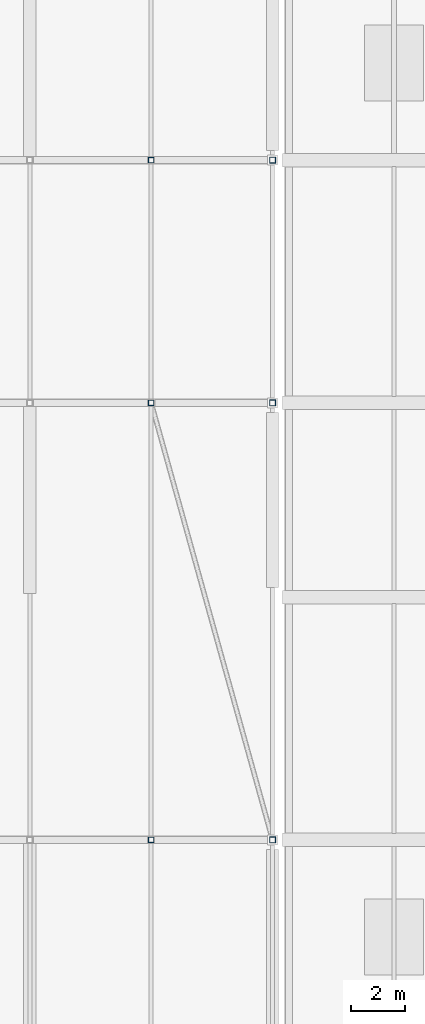
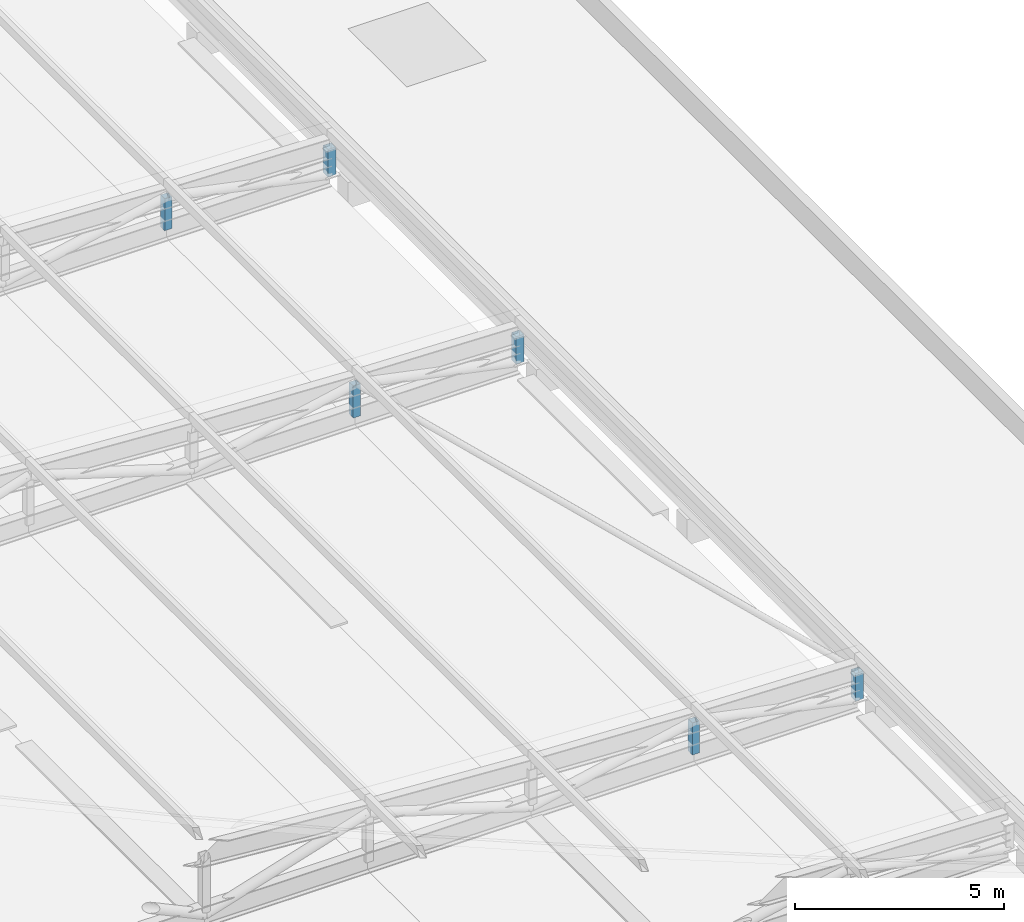
# One storey, part 81 of 114: 6 members.
"""IFC4 building model written with IfcOpenShell, lengths in metres."""

from ifc_helpers import new_model, si_unit, direction, frame, origin, origin_2d, place, context, subcontext, project, spatial, hollow_rectangle, extrude, material, material_profile, profile_set, type_object, element, save


model = new_model("IFC4")

# Units and contexts
model_context = context("Model", 3, precision=1e-05, world=origin(), true_north=direction((0.0, 1.0)))
body_context = subcontext(model_context, "Body", "Model", "MODEL_VIEW")
ifc_project = project(units=[si_unit("LENGTHUNIT", "METRE"), si_unit("AREAUNIT", "SQUARE_METRE"), si_unit("VOLUMEUNIT", "CUBIC_METRE"), si_unit("PLANEANGLEUNIT", "RADIAN"), si_unit("MASSUNIT", "GRAM", prefix="KILO"), si_unit("THERMODYNAMICTEMPERATUREUNIT", "KELVIN"), si_unit("POWERUNIT", "WATT")], contexts=[model_context])

# Site, building, storey
site_placement = place(None, origin())
site = spatial("IfcSite", under=ifc_project, at=site_placement, CompositionType="ELEMENT")
building_placement = place(site_placement, origin())
building = spatial("IfcBuilding", under=site, at=building_placement, Name="Sindhuravela Promenade Stadium", CompositionType="ELEMENT")
storey_placement = place(building_placement, frame((0.0, 0.0, 24.0)))
storey = spatial("IfcBuildingStorey", under=building, at=storey_placement, Name="L05", CompositionType="ELEMENT", Elevation=24.0)

# Members
ifc_material = material(Name="Steel E350 (IS 2062 E350BR)", Category="steel")
ifc_material_profile_1 = material_profile(ifc_material, hollow_rectangle(XDim=0.199951171875, YDim=0.199951171875, WallThickness=0.010009765625, at=origin_2d()), Name="SHS 200x200x10")
ifc_profile_set_1 = profile_set([ifc_material_profile_1], Name="Steel E350 (IS 2062 E350BR)")
member_type_1 = type_object("IfcMemberType", Name="ST-MB-SHS200", PredefinedType="POST", material=ifc_profile_set_1)
for number, where, z_axis, x_axis, name in (
    (1, (193.5, 68.39990234375, 0.0), (0.0, 0.0, 1.0), (1.0, 0.0, 0.0), "Roof truss RT-E04 vertical post 2"),
    (2, (193.5, 84.60009765625, 0.0), (0.0, 0.0, 1.0), (1.0, 0.0, 0.0), "Roof truss RT-E05 vertical post 2"),
    (3, (193.5, 93.60009765625, 0.0), (0.0, 0.0, 1.0), (1.0, 0.0, 0.0), "Roof truss RT-E06 vertical post 2"),
):
    element("IfcMember", number, at=place(storey_placement, frame(where, z_axis=z_axis, x_axis=x_axis)), inside=storey, type_object=member_type_1, Name=name, PredefinedType="POST", context=body_context, shape_type="SweptSolid", body=[
        extrude(hollow_rectangle(XDim=0.199951171875, YDim=0.199951171875, WallThickness=0.010009765625, at=origin_2d()), origin(), (0.0, 0.0, 1.0), 0.9306640625),
    ])
ifc_material_profile_2 = material_profile(ifc_material, hollow_rectangle(XDim=0.219970703125, YDim=0.219970703125, WallThickness=0.011962890625, at=origin_2d()), Name="SHS 220x220x12")
ifc_profile_set_2 = profile_set([ifc_material_profile_2], Name="Steel E350 (IS 2062 E350BR)")
member_type_2 = type_object("IfcMemberType", Name="ST-MB-SHS220", PredefinedType="POST", material=ifc_profile_set_2)
for number, where, z_axis, x_axis, name in (
    (4, (198.0, 68.39990234375, 0.0), (0.0, 0.0, 1.0), (1.0, 0.0, 0.0), "Roof truss RT-E04 vertical post 1"),
    (5, (198.0, 84.60009765625, 0.0), (0.0, 0.0, 1.0), (1.0, 0.0, 0.0), "Roof truss RT-E05 vertical post 1"),
    (6, (198.0, 93.60009765625, 0.0), (0.0, 0.0, 1.0), (1.0, 0.0, 0.0), "Roof truss RT-E06 vertical post 1"),
):
    element("IfcMember", number, at=place(storey_placement, frame(where, z_axis=z_axis, x_axis=x_axis)), inside=storey, type_object=member_type_2, Name=name, PredefinedType="POST", context=body_context, shape_type="SweptSolid", body=[
        extrude(hollow_rectangle(XDim=0.219970703125, YDim=0.219970703125, WallThickness=0.011962890625, at=origin_2d()), origin(), (0.0, 0.0, 1.0), 0.800048828125),
    ])

save(model, "model.ifc")
